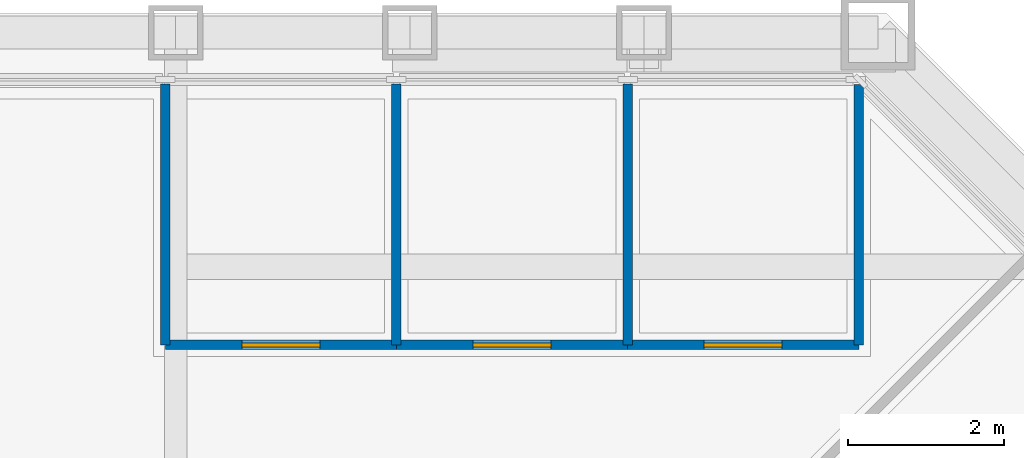
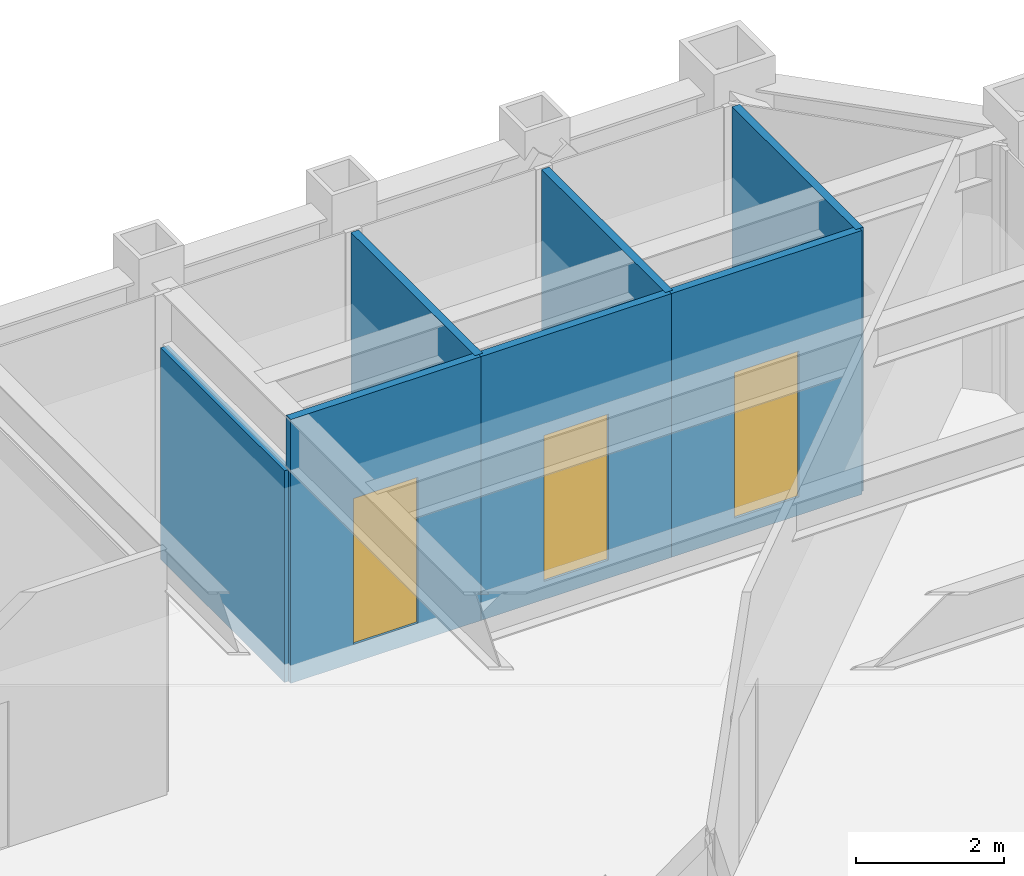
# One storey, part 11 of 17: 7 walls, 3 doors, 3 openings.
"""IFC4 building model written with IfcOpenShell, lengths in metres."""

import ifcopenshell
import ifcopenshell.guid

model = None  # the IFC model being written
_history = None  # IfcOwnerHistory: only IFC2X3 demands one
_inside = {}  # id of a spatial element -> (the spatial element, [elements in it])
_under = {}  # id of a project, library or spatial element -> (it, [spatial elements below it])
_declared = {}  # id of a project -> (the project, [libraries it declares])
_typed = {}  # id of a type object -> (the type object, [elements of that type])
_made_of = {}  # id of a material, layer set ... -> (it, [elements and type objects made of it])


def new_model(schema):
    """Start an empty IFC model of exactly this schema.

    Asked for "IFC4X3", IfcOpenShell would pick the latest addendum, in which some entities
    have other attributes; the version numbers below select the first issue.
    IFC2X3 requires an IfcOwnerHistory on every rooted entity: one is made here for all.
    """
    global model, _history
    if schema == "IFC4X3":
        model = ifcopenshell.file(schema_version=(4, 3, 0, 0))
    else:
        model = ifcopenshell.file(schema=schema)
    _inside.clear()
    _under.clear()
    _declared.clear()
    _typed.clear()
    _made_of.clear()
    _history = None
    if model.schema == "IFC2X3":
        org = make("IfcOrganization", Name="unknown")
        user = make(
            "IfcPersonAndOrganization",
            ThePerson=make("IfcPerson", FamilyName="unknown"),
            TheOrganization=org,
        )
        app = make(
            "IfcApplication",
            ApplicationDeveloper=org,
            Version="unknown",
            ApplicationFullName="unknown",
            ApplicationIdentifier="unknown",
        )
        _history = make(
            "IfcOwnerHistory",
            OwningUser=user,
            OwningApplication=app,
            ChangeAction="ADDED",
            CreationDate=0,
        )
    return model


def make(cls, **values):
    """One entity of the class cls with the attributes given. An attribute that is None is left unset."""
    return model.create_entity(
        cls, **{name: value for name, value in values.items() if value is not None}
    )


def rooted(cls, **values):
    """An entity with a GlobalId (a new one), such as an element, a storey or a relation."""
    return make(cls, GlobalId=ifcopenshell.guid.new(), OwnerHistory=_history, **values)


def si_unit(unit_type, name, prefix=None):
    """IfcSIUnit, for example si_unit("LENGTHUNIT", "METRE", prefix="MILLI")."""
    return make("IfcSIUnit", UnitType=unit_type, Prefix=prefix, Name=name)


def assignment(units):
    """IfcUnitAssignment: the units of a project."""
    return None if units is None else make("IfcUnitAssignment", Units=units)


def point(xyz):
    """IfcCartesianPoint."""
    return None if xyz is None else make("IfcCartesianPoint", Coordinates=xyz)


def direction(xyz):
    """IfcDirection."""
    return None if xyz is None else make("IfcDirection", DirectionRatios=xyz)


def frame(location, z_axis=None, x_axis=None):
    """IfcAxis2Placement3D, a coordinate frame: its origin and axes. An axis left out is left unset."""
    return make(
        "IfcAxis2Placement3D",
        Location=point(location),
        Axis=direction(z_axis),
        RefDirection=direction(x_axis),
    )


def frame_2d(location, x_axis=None):
    """IfcAxis2Placement2D, a coordinate frame in the plane: its origin and x axis."""
    return make(
        "IfcAxis2Placement2D", Location=point(location), RefDirection=direction(x_axis)
    )


def origin():
    """The frame at (0, 0, 0) with its axes left unset."""
    return frame((0.0, 0.0, 0.0))


def place(relative_to, where):
    """IfcLocalPlacement: puts the frame where relative to a parent placement (None: the world)."""
    return make(
        "IfcLocalPlacement", PlacementRelTo=relative_to, RelativePlacement=where
    )


def context(
    kind, dimensions, precision=None, world=None, true_north=None, identifier=None
):
    """IfcGeometricRepresentationContext, for example the 3D "Model" context."""
    return make(
        "IfcGeometricRepresentationContext",
        ContextIdentifier=identifier,
        ContextType=kind,
        CoordinateSpaceDimension=dimensions,
        Precision=precision,
        WorldCoordinateSystem=world,
        TrueNorth=true_north,
    )


def subcontext(parent, identifier, kind, view, scale=None):
    """IfcGeometricRepresentationSubContext, for example "Body" below "Model"."""
    return make(
        "IfcGeometricRepresentationSubContext",
        ContextIdentifier=identifier,
        ContextType=kind,
        ParentContext=parent,
        TargetScale=scale,
        TargetView=view,
    )


def project(units=None, contexts=None):
    """IfcProject with its units and contexts."""
    return rooted(
        "IfcProject",
        Name="project",
        RepresentationContexts=contexts,
        UnitsInContext=assignment(units),
    )


def spatial(cls, under=None, at=None, **own):
    """A site, building, storey or space (cls), placed at a placement, below another one or the project."""
    s = rooted(cls, ObjectPlacement=at, **own)
    if under is not None:
        _under.setdefault(under.id(), (under, []))[1].append(s)
    return s


def profile(cls, at=None, kind="AREA", **sizes):
    """A parametric profile (cls). Its sizes go by their IFC names, for example OverallWidth=200.0."""
    return make(cls, ProfileType=kind, Position=at, **sizes)


def rectangle(**sizes):
    """IfcRectangleProfileDef."""
    return profile("IfcRectangleProfileDef", **sizes)


def extrude(swept, where, along, depth):
    """IfcExtrudedAreaSolid: the profile swept, set in the frame where, extruded along a direction by depth."""
    return make(
        "IfcExtrudedAreaSolid",
        SweptArea=swept,
        Position=where,
        ExtrudedDirection=direction(along),
        Depth=depth,
    )


def shape(context_of_items, identifier, shape_type, items):
    """IfcShapeRepresentation: the items that make up one representation, for example the "Body"."""
    return make(
        "IfcShapeRepresentation",
        ContextOfItems=context_of_items,
        RepresentationIdentifier=identifier,
        RepresentationType=shape_type,
        Items=items,
    )


def material(Name=None, Category=None):
    """IfcMaterial."""
    return make("IfcMaterial", Name=Name, Category=Category)


def layer(
    of_material, thickness, ventilated=None, Name=None, Category=None, Priority=None
):
    """IfcMaterialLayer: one layer of a wall or slab, of a material (None: an air gap)."""
    return make(
        "IfcMaterialLayer",
        Material=of_material,
        LayerThickness=thickness,
        IsVentilated=ventilated,
        Name=Name,
        Category=Category,
        Priority=Priority,
    )


def layer_set(layers, Name=None):
    """IfcMaterialLayerSet."""
    return make("IfcMaterialLayerSet", MaterialLayers=layers, LayerSetName=Name)


def made_of(thing, what):
    """Note that an element or type object is made of a material, layer set ...; save() writes the relation."""
    if what is not None:
        _made_of.setdefault(what.id(), (what, []))[1].append(thing)
    return thing


def type_object(cls, material=None, **own):
    """A type object (cls), such as IfcWallType, which elements share."""
    return made_of(rooted(cls, **own), material)


def element(
    cls,
    number,
    at=None,
    inside=None,
    cuts=None,
    type_object=None,
    material=None,
    context=None,
    identifier="Body",
    shape_type=None,
    held_by="IfcProductDefinitionShape",
    body=None,
    shapes=None,
    **own,
):
    """One element of the class cls, such as IfcWall. Its Tag is "e" and its number.

    at: its placement. inside: the storey or other place that contains it. cuts: it is an
    opening in that element (IfcRelVoidsElement). A single representation is given by context,
    identifier, shape_type and body (its items); several are given by shapes. held_by: the class
    of the entity that holds the representations. save() writes the other relations.
    """
    e = rooted(cls, Tag="e%d" % number, ObjectPlacement=at, **own)
    if body is not None:
        shapes = [shape(context, identifier, shape_type, body)]
    if shapes is not None:
        e.Representation = make(held_by, Representations=shapes)
    if inside is not None:
        _inside.setdefault(inside.id(), (inside, []))[1].append(e)
    if cuts is not None:
        rooted(
            "IfcRelVoidsElement", RelatingBuildingElement=cuts, RelatedOpeningElement=e
        )
    if type_object is not None:
        _typed.setdefault(type_object.id(), (type_object, []))[1].append(e)
    return made_of(e, material)


def fill(opening, filler):
    """IfcRelFillsElement: the door or window that sits in an opening."""
    return rooted(
        "IfcRelFillsElement",
        RelatingOpeningElement=opening,
        RelatedBuildingElement=filler,
    )


def aggregate(whole, parts):
    """IfcRelAggregates: a whole, such as a stair, and the parts it consists of."""
    return rooted("IfcRelAggregates", RelatingObject=whole, RelatedObjects=parts)


def save(model, path):
    """Write the relations noted so far, then the file.

    IfcRelAggregates (storeys below a building ...), IfcRelContainedInSpatialStructure (elements
    in a storey), IfcRelDefinesByType, IfcRelAssociatesMaterial and IfcRelDeclares: one each for
    every whole, place, type object, material and project.
    """
    for whole, parts in _under.values():
        aggregate(whole, parts)
    for where, things in _inside.values():
        rooted(
            "IfcRelContainedInSpatialStructure",
            RelatedElements=things,
            RelatingStructure=where,
        )
    for kind, things in _typed.values():
        rooted("IfcRelDefinesByType", RelatedObjects=things, RelatingType=kind)
    for what, things in _made_of.values():
        rooted("IfcRelAssociatesMaterial", RelatedObjects=things, RelatingMaterial=what)
    for by, libraries in _declared.values():
        rooted("IfcRelDeclares", RelatingContext=by, RelatedDefinitions=libraries)
    model.write(path)


model = new_model("IFC4")

# Units and contexts
model_context = context("Model", 3, precision=1e-05, world=origin(), true_north=direction((0.0, 1.0)))
body_context = subcontext(model_context, "Body", "Model", "MODEL_VIEW")
ifc_project = project(units=[si_unit("LENGTHUNIT", "METRE"), si_unit("AREAUNIT", "SQUARE_METRE"), si_unit("VOLUMEUNIT", "CUBIC_METRE"), si_unit("PLANEANGLEUNIT", "RADIAN"), si_unit("MASSUNIT", "GRAM", prefix="KILO")], contexts=[model_context])

# Site, building, storey
site_placement = place(None, origin())
site = spatial("IfcSite", under=ifc_project, at=site_placement, CompositionType="ELEMENT")
building_placement = place(site_placement, origin())
building = spatial("IfcBuilding", under=site, at=building_placement, Name="Chuquiago Exchange Tower", CompositionType="ELEMENT")
storey_placement = place(building_placement, frame((0.0, 0.0, 69.300048828125)))
storey = spatial("IfcBuildingStorey", under=building, at=storey_placement, Name="L14", CompositionType="ELEMENT", Elevation=69.300048828125)

# Walls
ifc_material_1 = material(Name="Gypsum board on steel studs", Category="steel")
ifc_layer = layer(ifc_material_1, 0.1201171875)
ifc_layer_set = layer_set([ifc_layer], Name="W4 partition 120")
wall_type = type_object("IfcWallType", Name="W4 partition 120", PredefinedType="PARTITIONING", material=ifc_layer_set)
wall_1_placement = place(storey_placement, frame((32.8662109375, 44.342529296875, -0.300048828125), z_axis=(0.0, 0.0, 1.0), x_axis=(0.0, -1.0, 0.0)))
element("IfcWall", 1, at=wall_1_placement, inside=storey, type_object=wall_type, Name="PW-L14-N03287", PredefinedType="PARTITIONING", context=body_context, shape_type="SweptSolid", body=[
    extrude(rectangle(XDim=3.342529296875, YDim=0.1201171875, at=frame_2d((1.67138671875, 0.0))), origin(), (0.0, 0.0, 1.0), 3.4814453125),
])
for number, where, z_axis, x_axis, name in (
    (2, (35.827880859375, 44.342529296875, -0.300048828125), (0.0, 0.0, 1.0), (0.0, -1.0, 0.0), "PW-L14-N03583"),
    (3, (38.789794921875, 44.342529296875, -0.300048828125), (0.0, 0.0, 1.0), (0.0, -1.0, 0.0), "PW-L14-N03879"),
):
    element("IfcWall", number, at=place(storey_placement, frame(where, z_axis=z_axis, x_axis=x_axis)), inside=storey, type_object=wall_type, Name=name, PredefinedType="PARTITIONING", context=body_context, shape_type="SweptSolid", body=[
        extrude(rectangle(XDim=3.342529296875, YDim=0.1201171875, at=frame_2d((1.67138671875, 0.0))), origin(), (0.0, 0.0, 1.0), 4.340087890625),
    ])
wall_2_placement = place(storey_placement, frame((41.75146484375, 44.333984375, -0.300048828125), z_axis=(0.0, 0.0, 1.0), x_axis=(0.0, -1.0, 0.0)))
element("IfcWall", 4, at=wall_2_placement, inside=storey, type_object=wall_type, Name="PW-L14-N04175", PredefinedType="PARTITIONING", context=body_context, shape_type="SweptSolid", body=[
    extrude(rectangle(XDim=3.333984375, YDim=0.1201171875, at=frame_2d((1.6669921875, 0.0))), origin(), (0.0, 0.0, 1.0), 4.340087890625),
])

# Wall, opening, door
wall_3_placement = place(storey_placement, frame((32.8662109375, 41.0, -0.300048828125), z_axis=(0.0, 0.0, 1.0), x_axis=(1.0, 0.0, 0.0)))
wall_3 = element("IfcWall", 5, at=wall_3_placement, inside=storey, type_object=wall_type, Name="PW-L14-NF03287", PredefinedType="PARTITIONING", context=body_context, shape_type="SweptSolid", body=[
    extrude(rectangle(XDim=2.961669921875, YDim=0.1201171875, at=frame_2d((1.48095703125, 0.0))), origin(), (0.0, 0.0, 1.0), 4.340087890625),
])
opening_1_placement = place(wall_3_placement, frame((0.98095703125, 0.0, 0.300048828125)))
opening_1 = element("IfcOpeningElement", 6, at=opening_1_placement, cuts=wall_3, Name="Opening L14-034", PredefinedType="OPENING", context=body_context, shape_type="SweptSolid", body=[
    extrude(rectangle(XDim=1.0, YDim=2.39990234375, at=frame_2d((0.5, 1.199951171875))), frame((0.0, 0.070068359375, 0.0), z_axis=(0.0, -1.0, 0.0), x_axis=(1.0, 0.0, 0.0)), (0.0, 0.0, 1.0), 0.14013671875),
])
ifc_material_2 = material(Name="Timber frame door, full height glazed panel", Category="wood")
door_type = type_object("IfcDoorType", Name="D14 glazed meeting room door 1000x2400", OperationType="SINGLE_SWING_LEFT", PredefinedType="DOOR", material=ifc_material_2)
door_1_placement = place(opening_1_placement, origin())
door_1 = element("IfcDoor", 7, at=door_1_placement, inside=storey, type_object=door_type, Name="Focus room door", OperationType="SINGLE_SWING_RIGHT", OverallHeight=2.39990234375, OverallWidth=1.0, PredefinedType="DOOR", context=body_context, shape_type="SweptSolid", body=[
    extrude(rectangle(XDim=1.0, YDim=2.39990234375, at=frame_2d((0.5, 1.199951171875))), frame((0.0, 0.02490234375, 0.0), z_axis=(0.0, -1.0, 0.0), x_axis=(1.0, 0.0, 0.0)), (0.0, 0.0, 1.0), 0.050048828125),
])
fill(opening_1, door_1)

wall_4_placement = place(storey_placement, frame((35.827880859375, 41.0, -0.300048828125), z_axis=(0.0, 0.0, 1.0), x_axis=(1.0, 0.0, 0.0)))
wall_4 = element("IfcWall", 8, at=wall_4_placement, inside=storey, type_object=wall_type, Name="PW-L14-NF03583", PredefinedType="PARTITIONING", context=body_context, shape_type="SweptSolid", body=[
    extrude(rectangle(XDim=2.9619140625, YDim=0.1201171875, at=frame_2d((1.48095703125, 0.0))), origin(), (0.0, 0.0, 1.0), 4.340087890625),
])
opening_2_placement = place(wall_4_placement, frame((0.98095703125, 0.0, 0.300048828125)))
opening_2 = element("IfcOpeningElement", 9, at=opening_2_placement, cuts=wall_4, Name="Opening L14-035", PredefinedType="OPENING", context=body_context, shape_type="SweptSolid", body=[
    extrude(rectangle(XDim=1.0, YDim=2.39990234375, at=frame_2d((0.5, 1.199951171875))), frame((0.0, 0.070068359375, 0.0), z_axis=(0.0, -1.0, 0.0), x_axis=(1.0, 0.0, 0.0)), (0.0, 0.0, 1.0), 0.14013671875),
])
door_2_placement = place(opening_2_placement, origin())
door_2 = element("IfcDoor", 10, at=door_2_placement, inside=storey, type_object=door_type, Name="Focus room door", OperationType="SINGLE_SWING_LEFT", OverallHeight=2.39990234375, OverallWidth=1.0, PredefinedType="DOOR", context=body_context, shape_type="SweptSolid", body=[
    extrude(rectangle(XDim=1.0, YDim=2.39990234375, at=frame_2d((0.5, 1.199951171875))), frame((0.0, 0.02490234375, 0.0), z_axis=(0.0, -1.0, 0.0), x_axis=(1.0, 0.0, 0.0)), (0.0, 0.0, 1.0), 0.050048828125),
])
fill(opening_2, door_2)

wall_5_placement = place(storey_placement, frame((38.789794921875, 41.0, -0.300048828125), z_axis=(0.0, 0.0, 1.0), x_axis=(1.0, 0.0, 0.0)))
wall_5 = element("IfcWall", 11, at=wall_5_placement, inside=storey, type_object=wall_type, Name="PW-L14-NF03879", PredefinedType="PARTITIONING", context=body_context, shape_type="SweptSolid", body=[
    extrude(rectangle(XDim=2.961669921875, YDim=0.1201171875, at=frame_2d((1.48095703125, 0.0))), origin(), (0.0, 0.0, 1.0), 4.340087890625),
])
opening_3_placement = place(wall_5_placement, frame((0.98095703125, 0.0, 0.300048828125)))
opening_3 = element("IfcOpeningElement", 12, at=opening_3_placement, cuts=wall_5, Name="Opening L14-036", PredefinedType="OPENING", context=body_context, shape_type="SweptSolid", body=[
    extrude(rectangle(XDim=1.0, YDim=2.39990234375, at=frame_2d((0.5, 1.199951171875))), frame((0.0, 0.070068359375, 0.0), z_axis=(0.0, -1.0, 0.0), x_axis=(1.0, 0.0, 0.0)), (0.0, 0.0, 1.0), 0.14013671875),
])
door_3_placement = place(opening_3_placement, origin())
door_3 = element("IfcDoor", 13, at=door_3_placement, inside=storey, type_object=door_type, Name="Focus room door", OperationType="SINGLE_SWING_RIGHT", OverallHeight=2.39990234375, OverallWidth=1.0, PredefinedType="DOOR", context=body_context, shape_type="SweptSolid", body=[
    extrude(rectangle(XDim=1.0, YDim=2.39990234375, at=frame_2d((0.5, 1.199951171875))), frame((0.0, 0.02490234375, 0.0), z_axis=(0.0, -1.0, 0.0), x_axis=(1.0, 0.0, 0.0)), (0.0, 0.0, 1.0), 0.050048828125),
])
fill(opening_3, door_3)

save(model, "model.ifc")
